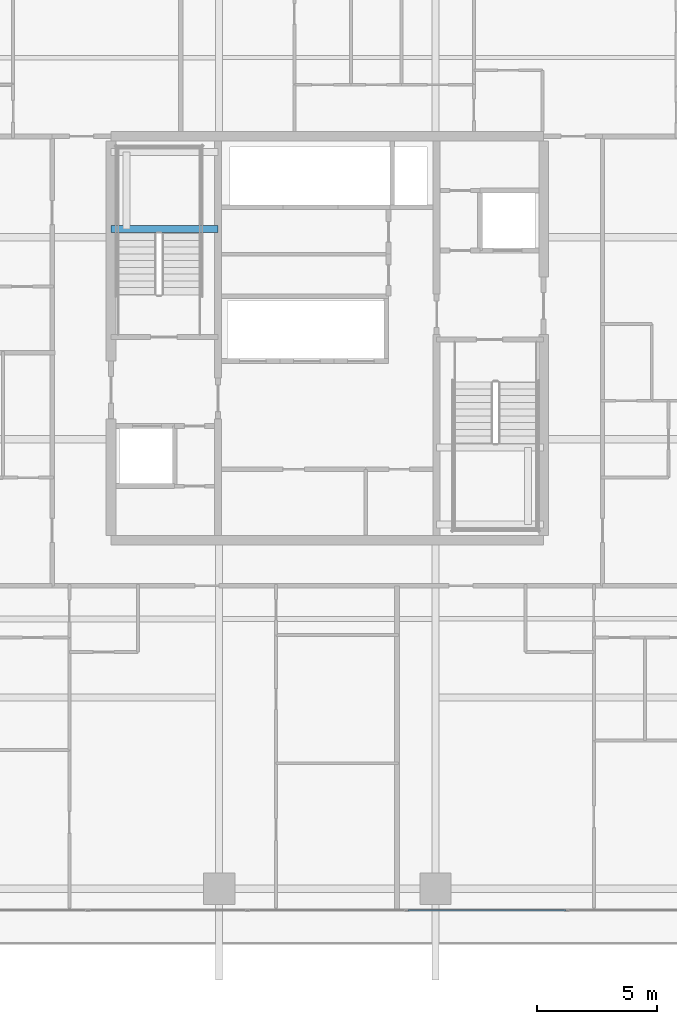
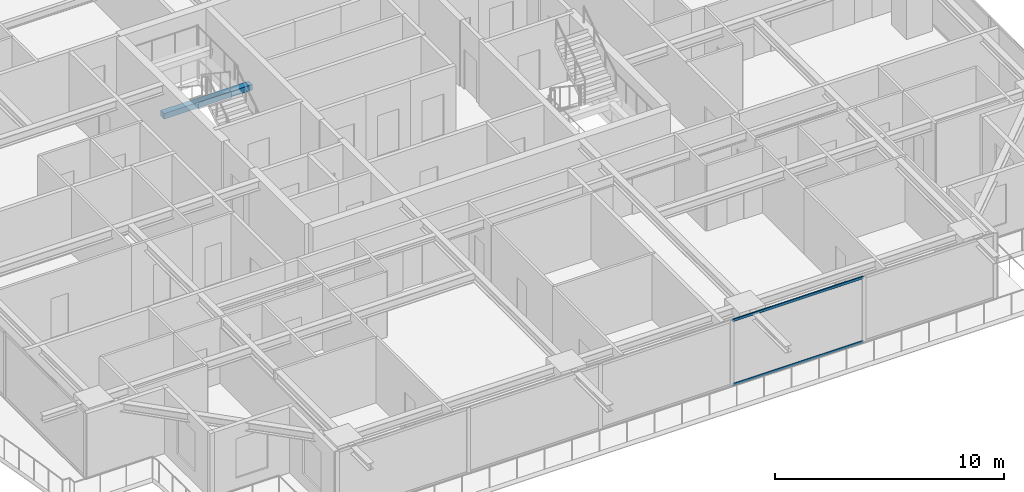
# One storey, part 11 of 37: 2 members, 1 beam, 1 element without a shape of its own.
"""IFC4 building model written with IfcOpenShell, lengths in metres."""

from ifc_helpers import new_model, si_unit, direction, frame, origin, origin_2d, place, context, subcontext, project, spatial, rectangle, hollow_rectangle, extrude, source, transform, mapped, material, layer, layer_set, material_profile, profile_set, type_object, element, aggregate, save


model = new_model("IFC4")

# Units and contexts
model_context = context("Model", 3, precision=1e-05, world=origin(), true_north=direction((0.0, 1.0)))
body_context = subcontext(model_context, "Body", "Model", "MODEL_VIEW")
ifc_project = project(units=[si_unit("LENGTHUNIT", "METRE"), si_unit("AREAUNIT", "SQUARE_METRE"), si_unit("VOLUMEUNIT", "CUBIC_METRE"), si_unit("PLANEANGLEUNIT", "RADIAN"), si_unit("MASSUNIT", "GRAM", prefix="KILO")], contexts=[model_context])

# Site, building, storey
site_placement = place(None, origin())
site = spatial("IfcSite", under=ifc_project, at=site_placement, CompositionType="ELEMENT")
building_placement = place(site_placement, origin())
building = spatial("IfcBuilding", under=site, at=building_placement, Name="Serunith Strait Residences", CompositionType="ELEMENT")
storey_placement = place(building_placement, frame((0.0, 0.0, 153.89990234375)))
storey = spatial("IfcBuildingStorey", under=building, at=storey_placement, Name="L38", CompositionType="ELEMENT", Elevation=153.89990234375)

# Beam
ifc_material_1 = material(Name="Concrete C60/75", Category="concrete")
ifc_material_profile_1 = material_profile(ifc_material_1, rectangle(XDim=0.300048828125, YDim=0.300048828125, at=origin_2d()), Name="RC 300x300")
ifc_profile_set_1 = profile_set([ifc_material_profile_1], Name="Concrete C60/75")
beam_type = type_object("IfcBeamType", Name="BM-LAND-300x300", PredefinedType="BEAM", material=ifc_profile_set_1)
shared_shape_1 = source(origin(), body_context, "Body", "SweptSolid", [
    extrude(rectangle(XDim=0.300048828125, YDim=0.300048828125, at=origin_2d()), origin(), (0.0, 0.0, 1.0), 4.4501953125),
])
beam_placement = place(storey_placement, frame((23.39990234375, 29.75, 1.525146484375), z_axis=(1.0, 0.0, 0.0), x_axis=(0.0, 1.0, 0.0)))
element("IfcBeam", 1, at=beam_placement, inside=storey, type_object=beam_type, Name="L38 ST-1 Landing Support Beam 1", PredefinedType="BEAM", context=body_context, shape_type="MappedRepresentation", body=[
    mapped(shared_shape_1, transform((0.0, 0.0, 0.0), scale=1.0)),
])

# Curtain wall, members
ifc_material_2 = material(Name="Pale-Champagne Anodised Aluminium", Category="aluminium")
ifc_layer = layer(ifc_material_2, 0.199951171875, Name="Pale-Champagne Anodised Aluminium")
ifc_layer_set = layer_set([ifc_layer], Name="Pale-Champagne Anodised Aluminium")
curtain_wall_type = type_object("IfcCurtainWallType", Name="CW-SYS2", PredefinedType="NOTDEFINED", material=ifc_layer_set)
curtain_wall_placement = place(storey_placement, origin())
curtain_wall = element("IfcCurtainWall", 2, at=curtain_wall_placement, inside=storey, type_object=curtain_wall_type, Name="L38 S Unitised Fritted Curtain Wall", PredefinedType="NOTDEFINED")
ifc_material_profile_2 = material_profile(ifc_material_2, hollow_rectangle(XDim=0.06005859375, YDim=0.139892578125, WallThickness=0.00341796875, InnerFilletRadius=0.00537109375, OuterFilletRadius=0.0087890625, at=origin_2d()), Name="ALU 140x60x3.5")
ifc_profile_set_2 = profile_set([ifc_material_profile_2], Name="Pale-Champagne Anodised Aluminium")
member_type = type_object("IfcMemberType", Name="CW-SYS2-TRAN", PredefinedType="USERDEFINED", material=ifc_profile_set_2)
shared_shape_2 = source(origin(), body_context, "Body", "SweptSolid", [
    extrude(hollow_rectangle(XDim=0.06005859375, YDim=0.139892578125, WallThickness=0.00341796875, InnerFilletRadius=0.00537109375, OuterFilletRadius=0.0087890625, at=origin_2d()), origin(), (0.0, 0.0, 1.0), 6.570068359375),
])
member_1_placement = place(storey_placement, frame((35.7548828125, 1.39990234375, 0.030029296875), z_axis=(1.0, 0.0, 0.0), x_axis=(0.0, 1.0, 0.0)))
member_1 = element("IfcMember", 3, at=member_1_placement, type_object=member_type, Name="CW-2 transom 4.1", ObjectType="TRANSOM", PredefinedType="USERDEFINED", context=body_context, shape_type="MappedRepresentation", body=[
    mapped(shared_shape_2, transform((0.0, 0.0, 0.0), scale=1.0)),
])
member_2_placement = place(storey_placement, frame((35.7548828125, 1.39990234375, 3.445068359375), z_axis=(1.0, 0.0, 0.0), x_axis=(0.0, 1.0, 0.0)))
member_2 = element("IfcMember", 4, at=member_2_placement, type_object=member_type, Name="CW-2 transom 4.2", ObjectType="TRANSOM", PredefinedType="USERDEFINED", context=body_context, shape_type="MappedRepresentation", body=[
    mapped(shared_shape_2, transform((0.0, 0.0, 0.0), scale=1.0)),
])
aggregate(curtain_wall, [member_1, member_2])

save(model, "model.ifc")
